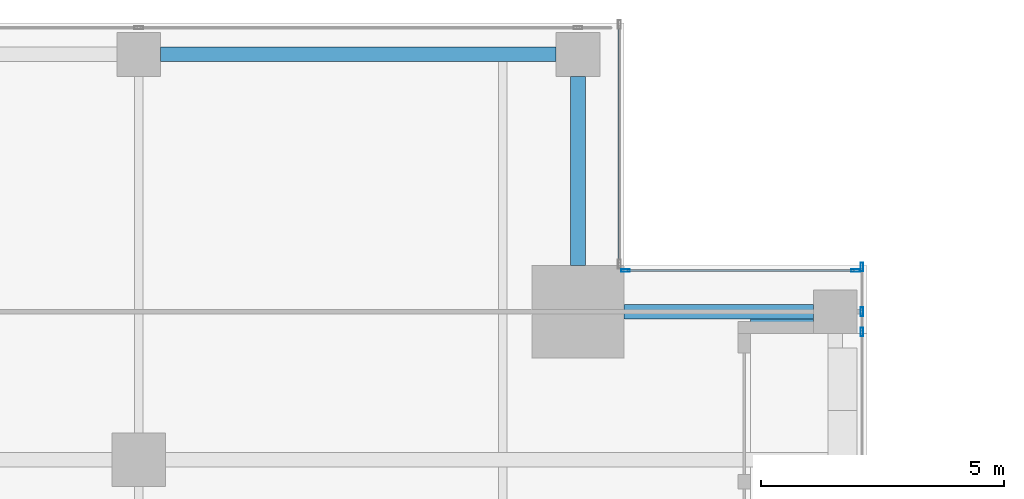
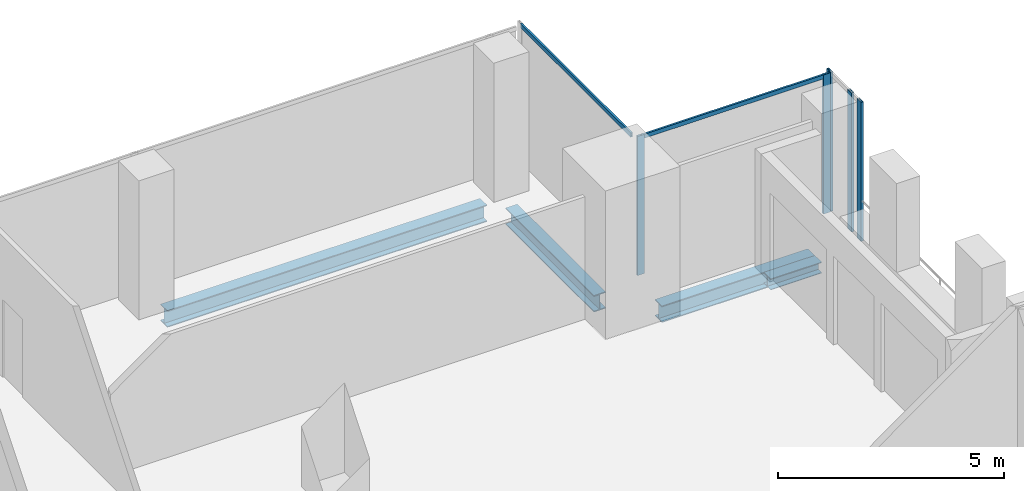
# One storey, part 22 of 35: 7 members, 4 beams, 3 elements without a shape of their own.
"""IFC4 building model written with IfcOpenShell, lengths in metres."""

from ifc_helpers import new_model, si_unit, direction, frame, origin, origin_2d, place, context, subcontext, project, spatial, hollow_rectangle, i_section, extrude, source, transform, mapped, material, material_profile, profile_set, type_object, element, aggregate, save


model = new_model("IFC4")

# Units and contexts
model_context = context("Model", 3, precision=1e-05, world=origin(), true_north=direction((0.0, 1.0)))
body_context = subcontext(model_context, "Body", "Model", "MODEL_VIEW")
ifc_project = project(units=[si_unit("LENGTHUNIT", "METRE"), si_unit("AREAUNIT", "SQUARE_METRE"), si_unit("VOLUMEUNIT", "CUBIC_METRE"), si_unit("PLANEANGLEUNIT", "RADIAN"), si_unit("MASSUNIT", "GRAM", prefix="KILO")], contexts=[model_context])

# Site, building, storey
site_placement = place(None, origin())
site = spatial("IfcSite", under=ifc_project, at=site_placement, CompositionType="ELEMENT")
building_placement = place(site_placement, origin())
building = spatial("IfcBuilding", under=site, at=building_placement, Name="Khomas Fold Tower", CompositionType="ELEMENT")
storey_placement = place(building_placement, frame((0.0, 0.0, 250.199951171875)))
storey = spatial("IfcBuildingStorey", under=building, at=storey_placement, Name="L56", CompositionType="ELEMENT", Elevation=250.199951171875)

# Beams
ifc_material_1 = material(Name="Steel S355", Category="steel")
ifc_material_profile_1 = material_profile(ifc_material_1, i_section(OverallWidth=0.300048828125, OverallDepth=0.449951171875, WebThickness=0.013916015625, FlangeThickness=0.02587890625, at=origin_2d()), Name="HE 450 B")
ifc_profile_set_1 = profile_set([ifc_material_profile_1], Name="Steel S355")
beam_type_1 = type_object("IfcBeamType", Name="HE 450 B spandrel SB4", PredefinedType="SPANDREL", material=ifc_profile_set_1)
shared_shape_1 = source(origin(), body_context, "Body", "SweptSolid", [
    extrude(i_section(OverallWidth=0.300048828125, OverallDepth=0.449951171875, WebThickness=0.013916015625, FlangeThickness=0.02587890625, at=origin_2d()), origin(), (0.0, 0.0, 1.0), 8.150146484375),
])
beam_1_placement = place(storey_placement, frame((34.949951171875, 48.85009765625, -0.474853515625), z_axis=(1.0, 0.0, 0.0), x_axis=(0.0, 1.0, 0.0)))
element("IfcBeam", 1, at=beam_1_placement, inside=storey, type_object=beam_type_1, Name="SB4", PredefinedType="SPANDREL", context=body_context, shape_type="MappedRepresentation", body=[
    mapped(shared_shape_1, transform((0.0, 0.0, 0.0))),
])
shared_shape_2 = source(origin(), body_context, "Body", "SweptSolid", [
    extrude(i_section(OverallWidth=0.300048828125, OverallDepth=0.449951171875, WebThickness=0.013916015625, FlangeThickness=0.02587890625, at=origin_2d()), origin(), (0.0, 0.0, 1.0), 3.89990234375),
])
for number, where, z_axis, x_axis, name in (
    (2, (44.5, 43.550048828125, -0.474853515625), (1.0, 0.0, 0.0), (0.0, 1.0, 0.0), "SB4"),
    (3, (43.550048828125, 44.5, -0.474853515625), (0.0, 1.0, 0.0), (-1.0, 0.0, 0.0), "SB4"),
):
    element("IfcBeam", number, at=place(storey_placement, frame(where, z_axis=z_axis, x_axis=x_axis)), inside=storey, type_object=beam_type_1, Name=name, PredefinedType="SPANDREL", context=body_context, shape_type="MappedRepresentation", body=[
        mapped(shared_shape_2, transform((0.0, 0.0, 0.0))),
    ])
ifc_material_2 = material(Name="Steel S355", Category="steel")
ifc_material_profile_2 = material_profile(ifc_material_2, i_section(OverallWidth=0.300048828125, OverallDepth=0.300048828125, WebThickness=0.010986328125, FlangeThickness=0.01904296875, at=origin_2d()), Name="HE 300 B")
ifc_profile_set_2 = profile_set([ifc_material_profile_2], Name="Steel S355")
beam_type_2 = type_object("IfcBeamType", Name="HE 300 B beam BB1", PredefinedType="BEAM", material=ifc_profile_set_2)
shared_shape_3 = source(origin(), body_context, "Body", "SweptSolid", [
    extrude(i_section(OverallWidth=0.300048828125, OverallDepth=0.300048828125, WebThickness=0.010986328125, FlangeThickness=0.01904296875, at=origin_2d()), origin(), (0.0, 0.0, 1.0), 1.2998046875),
])
beam_2_placement = place(storey_placement, frame((47.10009765625, 43.25, -0.39990234375), z_axis=(1.0, 0.0, 0.0), x_axis=(0.0, 1.0, 0.0)))
element("IfcBeam", 4, at=beam_2_placement, inside=storey, type_object=beam_type_2, Name="BB1", PredefinedType="BEAM", context=body_context, shape_type="MappedRepresentation", body=[
    mapped(shared_shape_3, transform((0.0, 0.0, 0.0))),
])

# Curtain wall, members
ifc_material_3 = material(Name="Aluminium framed double glazing", Category="aluminium")
curtain_wall_type = type_object("IfcCurtainWallType", Name="SK-Unitised clear-glass wall, office floors CW2", PredefinedType="NOTDEFINED", material=ifc_material_3)
curtain_wall_1_placement = place(storey_placement, origin())
curtain_wall_1 = element("IfcCurtainWall", 5, at=curtain_wall_1_placement, inside=storey, type_object=curtain_wall_type, Name="CW2 run L56 03-1", PredefinedType="NOTDEFINED")
ifc_material_4 = material(Name="Aluminium", Category="aluminium")
ifc_material_profile_3 = material_profile(ifc_material_4, hollow_rectangle(XDim=0.06005859375, YDim=0.179931640625, WallThickness=0.00390625, at=origin_2d()), Name="SK-Unitised clear-glass wall, office floors mullion CW2-M")
ifc_profile_set_3 = profile_set([ifc_material_profile_3], Name="Aluminium")
member_type_1 = type_object("IfcMemberType", Name="SK-Unitised clear-glass wall, office floors mullion CW2-M", PredefinedType="MULLION", material=ifc_profile_set_3)
shared_shape_4 = source(origin(), body_context, "Body", "SweptSolid", [
    extrude(hollow_rectangle(XDim=0.06005859375, YDim=0.179931640625, WallThickness=0.00390625, at=origin_2d()), origin(), (0.0, 0.0, 1.0), 3.75),
])
member_1_placement = place(storey_placement, frame((49.39990234375, 43.1298828125, 0.0), z_axis=(0.0, 0.0, 1.0), x_axis=(-1.0, 0.0, 0.0)))
member_1 = element("IfcMember", 6, at=member_1_placement, type_object=member_type_1, Name="CW2 mullion 1", PredefinedType="MULLION", context=body_context, shape_type="MappedRepresentation", body=[
    mapped(shared_shape_4, transform((0.0, 0.0, 0.0))),
])
member_2_placement = place(storey_placement, frame((49.39990234375, 43.550048828125, 0.0), z_axis=(0.0, 0.0, 1.0), x_axis=(-1.0, 0.0, 0.0)))
member_2 = element("IfcMember", 7, at=member_2_placement, type_object=member_type_1, Name="CW2 mullion 2", PredefinedType="MULLION", context=body_context, shape_type="MappedRepresentation", body=[
    mapped(shared_shape_4, transform((0.0, 0.0, 0.0))),
])
member_3_placement = place(storey_placement, frame((49.39990234375, 44.469970703125, 0.0), z_axis=(0.0, 0.0, 1.0), x_axis=(-1.0, 0.0, 0.0)))
member_3 = element("IfcMember", 8, at=member_3_placement, type_object=member_type_1, Name="CW2 mullion 3", PredefinedType="MULLION", context=body_context, shape_type="MappedRepresentation", body=[
    mapped(shared_shape_4, transform((0.0, 0.0, 0.0))),
])
aggregate(curtain_wall_1, [member_1, member_2, member_3])

curtain_wall_2_placement = place(storey_placement, origin())
curtain_wall_2 = element("IfcCurtainWall", 9, at=curtain_wall_2_placement, inside=storey, type_object=curtain_wall_type, Name="CW2 corner return L56 04", PredefinedType="NOTDEFINED")
member_4_placement = place(storey_placement, frame((49.27001953125, 44.39990234375, 0.0), z_axis=(0.0, 0.0, 1.0), x_axis=(0.0, -1.0, 0.0)))
member_4 = element("IfcMember", 10, at=member_4_placement, type_object=member_type_1, Name="CW2 mullion 1", PredefinedType="MULLION", context=body_context, shape_type="MappedRepresentation", body=[
    mapped(shared_shape_4, transform((0.0, 0.0, 0.0))),
])
member_5_placement = place(storey_placement, frame((44.530029296875, 44.39990234375, 0.0), z_axis=(0.0, 0.0, 1.0), x_axis=(0.0, -1.0, 0.0)))
member_5 = element("IfcMember", 11, at=member_5_placement, type_object=member_type_1, Name="CW2 mullion 2", PredefinedType="MULLION", context=body_context, shape_type="MappedRepresentation", body=[
    mapped(shared_shape_4, transform((0.0, 0.0, 0.0))),
])
ifc_material_5 = material(Name="Aluminium", Category="aluminium")
ifc_material_profile_4 = material_profile(ifc_material_5, hollow_rectangle(XDim=0.050048828125, YDim=0.110107421875, WallThickness=0.00390625, at=origin_2d()), Name="SK-Unitised clear-glass wall, office floors transom CW2-T")
ifc_profile_set_4 = profile_set([ifc_material_profile_4], Name="Aluminium")
member_type_2 = type_object("IfcMemberType", Name="SK-Unitised clear-glass wall, office floors transom CW2-T", PredefinedType="USERDEFINED", material=ifc_profile_set_4)
shared_shape_5 = source(origin(), body_context, "Body", "SweptSolid", [
    extrude(hollow_rectangle(XDim=0.050048828125, YDim=0.110107421875, WallThickness=0.00390625, at=origin_2d()), origin(), (0.0, 0.0, 1.0), 4.679931640625),
])
member_6_placement = place(storey_placement, frame((49.239990234375, 44.39990234375, 3.695068359375), z_axis=(-1.0, 0.0, 0.0), x_axis=(0.0, -1.0, 0.0)))
member_6 = element("IfcMember", 12, at=member_6_placement, type_object=member_type_2, Name="CW2 transom 1", ObjectType="TRANSOM", PredefinedType="USERDEFINED", context=body_context, shape_type="MappedRepresentation", body=[
    mapped(shared_shape_5, transform((0.0, 0.0, 0.0))),
])
aggregate(curtain_wall_2, [member_4, member_5, member_6])

# Curtain wall, member
curtain_wall_3_placement = place(storey_placement, origin())
curtain_wall_3 = element("IfcCurtainWall", 13, at=curtain_wall_3_placement, inside=storey, type_object=curtain_wall_type, Name="CW2 corner return L56 05", PredefinedType="NOTDEFINED")
shared_shape_6 = source(origin(), body_context, "Body", "SweptSolid", [
    extrude(hollow_rectangle(XDim=0.050048828125, YDim=0.110107421875, WallThickness=0.00390625, at=origin_2d()), origin(), (0.0, 0.0, 1.0), 4.8798828125),
])
member_7_placement = place(storey_placement, frame((44.39990234375, 44.56005859375, 3.695068359375), z_axis=(0.0, 1.0, 0.0), x_axis=(-1.0, 0.0, 0.0)))
member_7 = element("IfcMember", 14, at=member_7_placement, type_object=member_type_2, Name="CW2 transom 1", ObjectType="TRANSOM", PredefinedType="USERDEFINED", context=body_context, shape_type="MappedRepresentation", body=[
    mapped(shared_shape_6, transform((0.0, 0.0, 0.0))),
])
aggregate(curtain_wall_3, [member_7])

save(model, "model.ifc")
